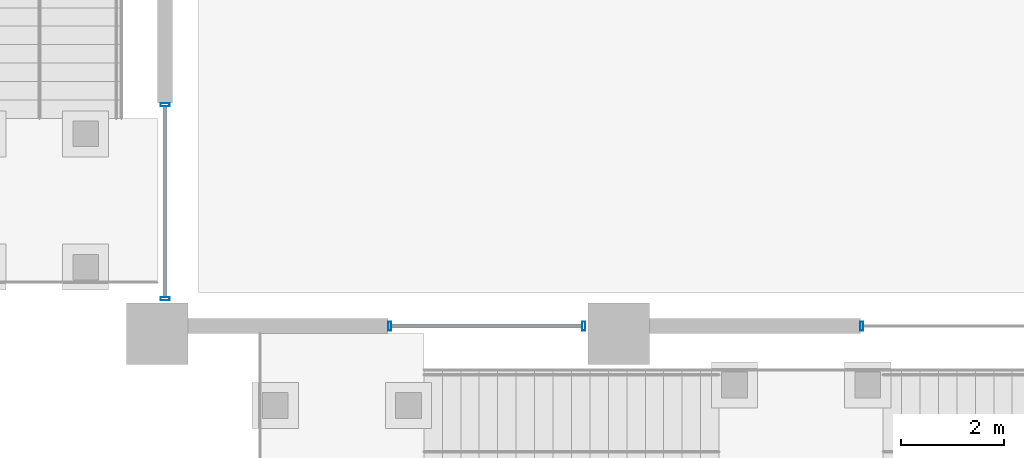
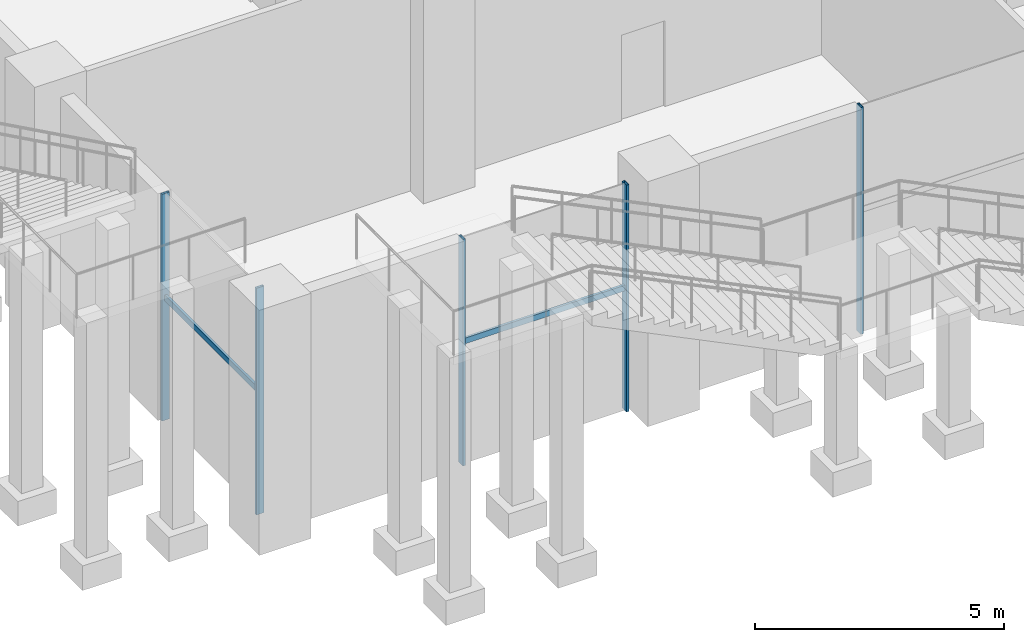
# One storey, part 5 of 68: 7 members, 3 elements without a shape of their own.
"""IFC4 building model written with IfcOpenShell, lengths in metres."""

from ifc_helpers import new_model, si_unit, direction, frame, origin, origin_2d, place, context, subcontext, project, spatial, hollow_rectangle, extrude, material, material_profile, profile_set, type_object, element, aggregate, save


model = new_model("IFC4")

# Units and contexts
model_context = context("Model", 3, precision=1e-05, world=origin(), true_north=direction((0.0, 1.0)))
body_context = subcontext(model_context, "Body", "Model", "MODEL_VIEW")
ifc_project = project(units=[si_unit("LENGTHUNIT", "METRE"), si_unit("AREAUNIT", "SQUARE_METRE"), si_unit("VOLUMEUNIT", "CUBIC_METRE"), si_unit("PLANEANGLEUNIT", "RADIAN"), si_unit("MASSUNIT", "GRAM", prefix="KILO")], contexts=[model_context])

# Site, building, storey
site_placement = place(None, origin())
site = spatial("IfcSite", under=ifc_project, at=site_placement, CompositionType="ELEMENT")
building_placement = place(site_placement, origin())
building = spatial("IfcBuilding", under=site, at=building_placement, Name="Altepetl Exchange Towers", CompositionType="ELEMENT")
storey_placement = place(building_placement, origin())
storey = spatial("IfcBuildingStorey", under=building, at=storey_placement, Name="L00 Ground concourse", CompositionType="ELEMENT", Elevation=0.0)

# Curtain wall, members
ifc_material_1 = material(Name="Aluminium 6063-T6 glazing", Category="aluminium")
curtain_wall_type = type_object("IfcCurtainWallType", Name="Podium storefront system", PredefinedType="NOTDEFINED", material=ifc_material_1)
curtain_wall_1_placement = place(storey_placement, origin())
curtain_wall_1 = element("IfcCurtainWall", 1, at=curtain_wall_1_placement, inside=storey, type_object=curtain_wall_type, Name="CW5 run", PredefinedType="NOTDEFINED")
ifc_material_2 = material(Name="Aluminium 6063-T6", Category="aluminium")
ifc_material_profile_1 = material_profile(ifc_material_2, hollow_rectangle(XDim=0.06005859375, YDim=0.175048828125, WallThickness=0.0029296875, at=origin_2d()), Name="Mullion 60x175 aluminium")
ifc_profile_set_1 = profile_set([ifc_material_profile_1], Name="Aluminium 6063-T6")
member_type_1 = type_object("IfcMemberType", Name="Mullion 60x175 aluminium", PredefinedType="MULLION", material=ifc_profile_set_1)
member_1_placement = place(storey_placement, frame((4.530029296875, 0.14990234375, 0.0)))
member_1 = element("IfcMember", 2, at=member_1_placement, type_object=member_type_1, Name="MU4 mullion", PredefinedType="MULLION", context=body_context, shape_type="SweptSolid", body=[
    extrude(hollow_rectangle(XDim=0.06005859375, YDim=0.175048828125, WallThickness=0.0029296875, at=origin_2d()), origin(), (0.0, 0.0, 1.0), 5.550048828125),
])
member_2_placement = place(storey_placement, frame((8.320068359375, 0.14990234375, 0.0)))
member_2 = element("IfcMember", 3, at=member_2_placement, type_object=member_type_1, Name="MU4 mullion", PredefinedType="MULLION", context=body_context, shape_type="SweptSolid", body=[
    extrude(hollow_rectangle(XDim=0.06005859375, YDim=0.175048828125, WallThickness=0.0029296875, at=origin_2d()), origin(), (0.0, 0.0, 1.0), 5.550048828125),
])

# Curtain wall, member
curtain_wall_2_placement = place(storey_placement, origin())
curtain_wall_2 = element("IfcCurtainWall", 4, at=curtain_wall_2_placement, inside=storey, type_object=curtain_wall_type, Name="CW5 run", PredefinedType="NOTDEFINED")
member_3_placement = place(storey_placement, frame((13.74658203125, 0.14990234375, 0.0)))
member_3 = element("IfcMember", 5, at=member_3_placement, type_object=member_type_1, Name="MU4 mullion", PredefinedType="MULLION", context=body_context, shape_type="SweptSolid", body=[
    extrude(hollow_rectangle(XDim=0.06005859375, YDim=0.175048828125, WallThickness=0.0029296875, at=origin_2d()), origin(), (0.0, 0.0, 1.0), 5.550048828125),
])
aggregate(curtain_wall_2, [member_3])

# Curtain wall, members
curtain_wall_3_placement = place(storey_placement, origin())
curtain_wall_3 = element("IfcCurtainWall", 6, at=curtain_wall_3_placement, inside=storey, type_object=curtain_wall_type, Name="CW5 run", PredefinedType="NOTDEFINED")
member_4_placement = place(storey_placement, frame((0.14990234375, 4.469970703125, 0.0), z_axis=(0.0, 0.0, 1.0), x_axis=(0.0, -1.0, 0.0)))
member_4 = element("IfcMember", 7, at=member_4_placement, type_object=member_type_1, Name="MU4 mullion", PredefinedType="MULLION", context=body_context, shape_type="SweptSolid", body=[
    extrude(hollow_rectangle(XDim=0.06005859375, YDim=0.175048828125, WallThickness=0.0029296875, at=origin_2d()), origin(), (0.0, 0.0, 1.0), 5.550048828125),
])
member_5_placement = place(storey_placement, frame((0.14990234375, 0.679931640625, 0.0), z_axis=(0.0, 0.0, 1.0), x_axis=(0.0, -1.0, 0.0)))
member_5 = element("IfcMember", 8, at=member_5_placement, type_object=member_type_1, Name="MU4 mullion", PredefinedType="MULLION", context=body_context, shape_type="SweptSolid", body=[
    extrude(hollow_rectangle(XDim=0.06005859375, YDim=0.175048828125, WallThickness=0.0029296875, at=origin_2d()), origin(), (0.0, 0.0, 1.0), 5.550048828125),
])

# Member
ifc_material_profile_2 = material_profile(ifc_material_2, hollow_rectangle(XDim=0.06005859375, YDim=0.139892578125, WallThickness=0.0029296875, at=origin_2d()), Name="Transom 60x140 aluminium")
ifc_profile_set_2 = profile_set([ifc_material_profile_2], Name="Aluminium 6063-T6")
member_type_2 = type_object("IfcMemberType", Name="Transom 60x140 aluminium", PredefinedType="USERDEFINED", material=ifc_profile_set_2)
member_6_placement = place(storey_placement, frame((4.56005859375, 0.14990234375, 3.0), z_axis=(1.0, 0.0, 0.0), x_axis=(0.0, 1.0, 0.0)))
member_6 = element("IfcMember", 9, at=member_6_placement, type_object=member_type_2, Name="TR3 transom", ObjectType="TRANSOM", PredefinedType="USERDEFINED", context=body_context, shape_type="SweptSolid", body=[
    extrude(hollow_rectangle(XDim=0.06005859375, YDim=0.139892578125, WallThickness=0.0029296875, at=origin_2d()), origin(), (0.0, 0.0, 1.0), 3.72998046875),
])

aggregate(curtain_wall_1, [member_1, member_2, member_6])

member_7_placement = place(storey_placement, frame((0.14990234375, 4.43994140625, 3.0), z_axis=(0.0, -1.0, 0.0), x_axis=(1.0, 0.0, 0.0)))
member_7 = element("IfcMember", 10, at=member_7_placement, type_object=member_type_2, Name="TR3 transom", ObjectType="TRANSOM", PredefinedType="USERDEFINED", context=body_context, shape_type="SweptSolid", body=[
    extrude(hollow_rectangle(XDim=0.06005859375, YDim=0.139892578125, WallThickness=0.0029296875, at=origin_2d()), origin(), (0.0, 0.0, 1.0), 3.72998046875),
])

aggregate(curtain_wall_3, [member_4, member_5, member_7])

save(model, "model.ifc")
